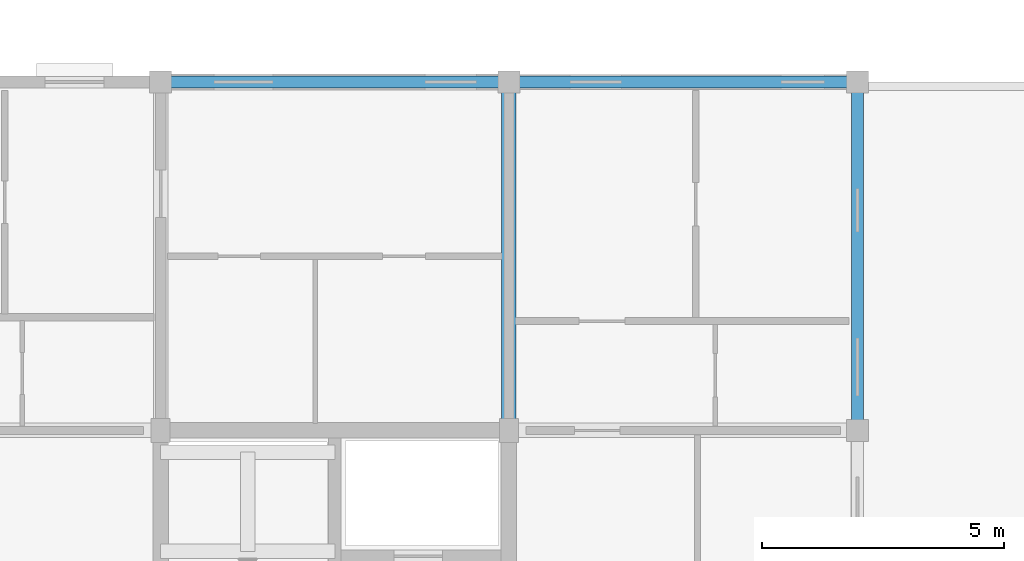
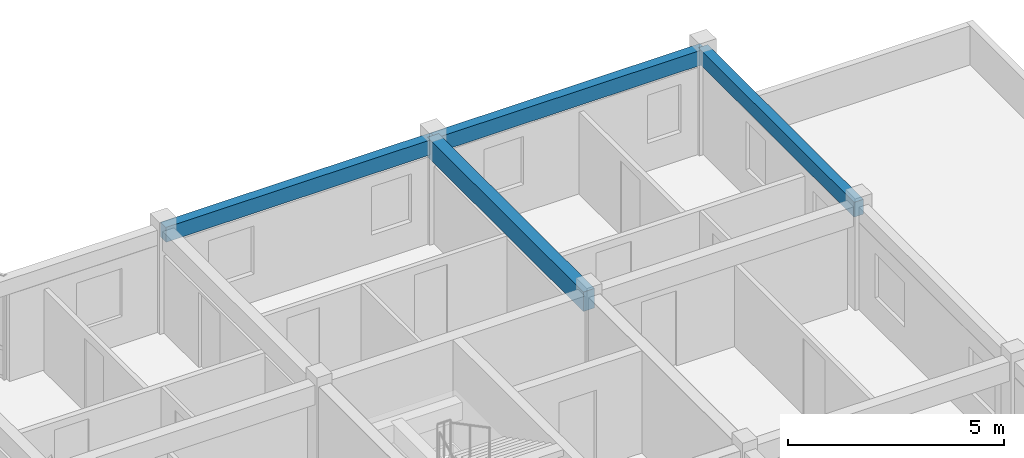
# One storey, part 21 of 40: 4 beams.
"""IFC4 building model written with IfcOpenShell, lengths in metres."""

from ifc_helpers import new_model, si_unit, direction, frame, origin, origin_2d, place, context, subcontext, project, spatial, rectangle, extrude, material, material_profile, profile_set, type_object, element, save


model = new_model("IFC4")

# Units and contexts
model_context = context("Model", 3, precision=1e-05, world=origin(), true_north=direction((0.0, 1.0)))
body_context = subcontext(model_context, "Body", "Model", "MODEL_VIEW")
ifc_project = project(units=[si_unit("LENGTHUNIT", "METRE"), si_unit("AREAUNIT", "SQUARE_METRE"), si_unit("VOLUMEUNIT", "CUBIC_METRE"), si_unit("PLANEANGLEUNIT", "RADIAN"), si_unit("MASSUNIT", "GRAM", prefix="KILO"), si_unit("THERMODYNAMICTEMPERATUREUNIT", "KELVIN"), si_unit("POWERUNIT", "WATT")], contexts=[model_context])

# Site, building, storey
site_placement = place(None, origin())
site = spatial("IfcSite", under=ifc_project, at=site_placement, CompositionType="ELEMENT")
building_placement = place(site_placement, origin())
building = spatial("IfcBuilding", under=site, at=building_placement, Name="Tavuni Mirador Residences", CompositionType="ELEMENT")
storey_placement = place(building_placement, frame((0.0, 0.0, 36.0)))
storey = spatial("IfcBuildingStorey", under=building, at=storey_placement, Name="L11", CompositionType="ELEMENT", Elevation=36.0)

# Beams
ifc_material = material(Name="Precast concrete C40/50", Category="concrete")
ifc_material_profile_1 = material_profile(ifc_material, rectangle(XDim=0.300048828125, YDim=0.550048828125, at=origin_2d()), Name="PC 300x550", Category="concrete")
ifc_profile_set_1 = profile_set([ifc_material_profile_1], Name="Precast concrete C40/50")
beam_type_1 = type_object("IfcBeamType", Name="BT-B550", PredefinedType="BEAM", material=ifc_profile_set_1)
beam_placement = place(storey_placement, frame((46.800048828125, 165.60009765625, 2.610107421875), z_axis=(0.0, 1.0, 0.0), x_axis=(-1.0, 0.0, 0.0)))
element("IfcBeam", 1, at=beam_placement, inside=storey, type_object=beam_type_1, Name="BMY-BLK-C-L11-04-02", PredefinedType="BEAM", context=body_context, shape_type="SweptSolid", body=[
    extrude(rectangle(XDim=0.300048828125, YDim=0.550048828125, at=origin_2d()), origin(), (0.0, 0.0, 1.0), 7.199951171875),
])
ifc_material_profile_2 = material_profile(ifc_material, rectangle(XDim=0.25, YDim=0.419921875, at=origin_2d()), Name="PC 250x420", Category="concrete")
ifc_profile_set_2 = profile_set([ifc_material_profile_2], Name="Precast concrete C40/50")
beam_type_2 = type_object("IfcBeamType", Name="BT-SP420", PredefinedType="SPANDREL", material=ifc_profile_set_2)
for number, where, z_axis, x_axis, name in (
    (2, (39.60009765625, 172.800048828125, 2.675048828125), (1.0, 0.0, 0.0), (0.0, 1.0, 0.0), "BMX-BLK-C-L11-03-03"),
    (3, (46.800048828125, 172.800048828125, 2.675048828125), (1.0, 0.0, 0.0), (0.0, 1.0, 0.0), "BMX-BLK-C-L11-04-03"),
    (4, (54.0, 165.60009765625, 2.675048828125), (0.0, 1.0, 0.0), (-1.0, 0.0, 0.0), "BMY-BLK-C-L11-05-02"),
):
    element("IfcBeam", number, at=place(storey_placement, frame(where, z_axis=z_axis, x_axis=x_axis)), inside=storey, type_object=beam_type_2, Name=name, PredefinedType="SPANDREL", context=body_context, shape_type="SweptSolid", body=[
        extrude(rectangle(XDim=0.25, YDim=0.419921875, at=origin_2d()), origin(), (0.0, 0.0, 1.0), 7.199951171875),
    ])

save(model, "model.ifc")
